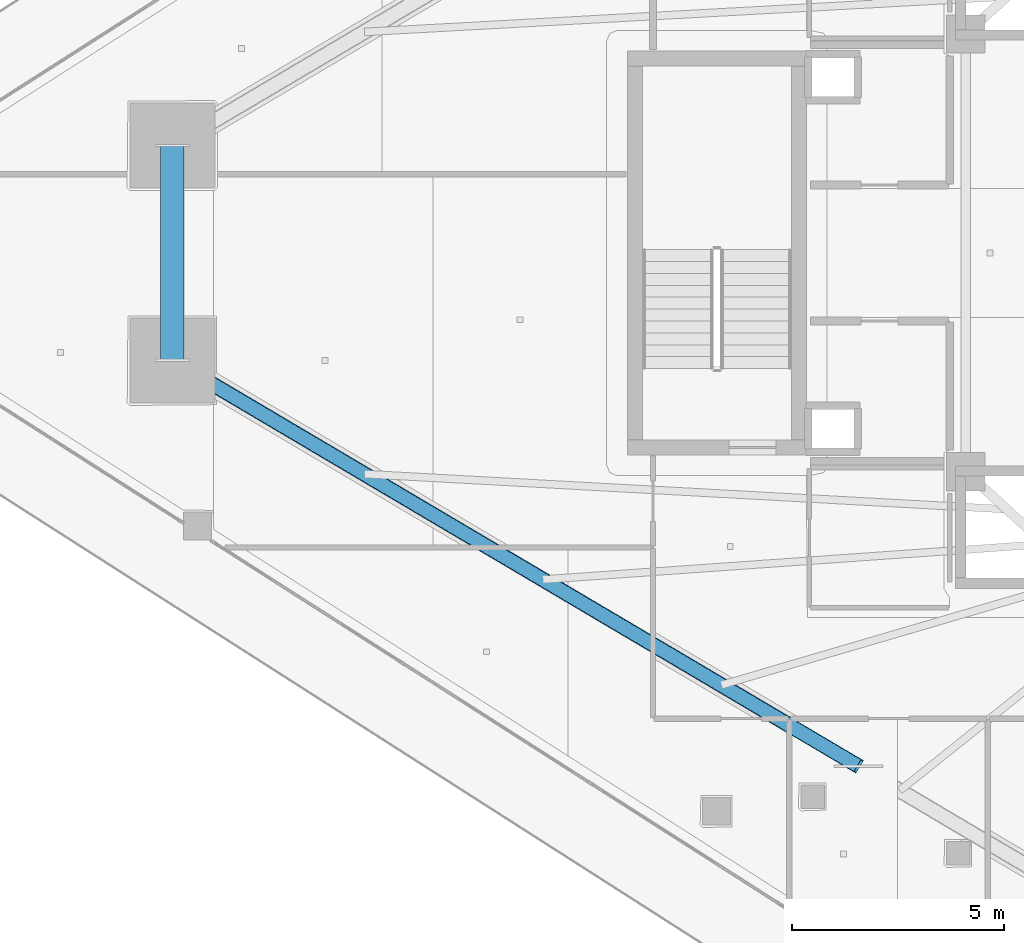
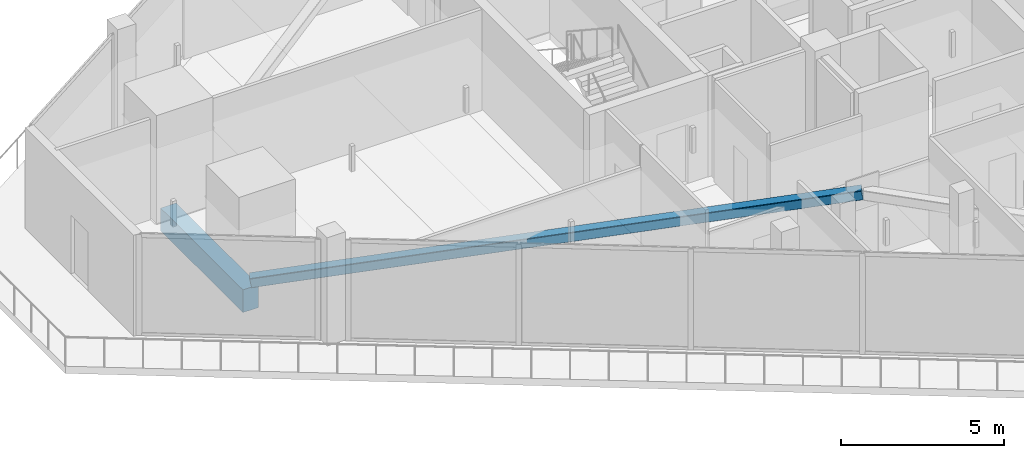
# One storey, part 7 of 43: 1 beam, 1 member.
"""IFC4 building model written with IfcOpenShell, lengths in metres."""

from ifc_helpers import new_model, si_unit, direction, frame, origin, origin_2d, place, context, subcontext, project, spatial, rectangle, hollow_rectangle, extrude, material, material_profile, profile_set, type_object, element, save


model = new_model("IFC4")

# Units and contexts
model_context = context("Model", 3, precision=1e-05, world=origin(), true_north=direction((0.0, 1.0)))
body_context = subcontext(model_context, "Body", "Model", "MODEL_VIEW")
ifc_project = project(units=[si_unit("LENGTHUNIT", "METRE"), si_unit("AREAUNIT", "SQUARE_METRE"), si_unit("VOLUMEUNIT", "CUBIC_METRE"), si_unit("PLANEANGLEUNIT", "RADIAN"), si_unit("MASSUNIT", "GRAM", prefix="KILO")], contexts=[model_context])

# Site, building, storey
site_placement = place(None, origin())
site = spatial("IfcSite", under=ifc_project, at=site_placement, CompositionType="ELEMENT")
building_placement = place(site_placement, origin())
building = spatial("IfcBuilding", under=site, at=building_placement, Name="Qorvath Tower", CompositionType="ELEMENT")
storey_placement = place(building_placement, frame((0.0, 0.0, 213.14990234375)))
storey = spatial("IfcBuildingStorey", under=building, at=storey_placement, Name="L49", CompositionType="ELEMENT", Elevation=213.14990234375)

# Beam
ifc_material_1 = material(Name="Concrete C50/60", Category="concrete")
ifc_material_profile_1 = material_profile(ifc_material_1, rectangle(XDim=0.550048828125, YDim=0.85009765625, at=origin_2d()), Name="RCB 850x550")
ifc_profile_set_1 = profile_set([ifc_material_profile_1], Name="Concrete C50/60")
beam_type = type_object("IfcBeamType", Name="BM-RCB2", PredefinedType="SPANDREL", material=ifc_profile_set_1)
beam_placement = place(storey_placement, frame((-49.171875, 2.52783203125, -0.695068359375), z_axis=(0.0, -1.0, 0.0), x_axis=(1.0, 0.0, 0.0)))
element("IfcBeam", 1, at=beam_placement, inside=storey, type_object=beam_type, Name="Perimeter Loggia Frame Beam MC1-MC2 L49", PredefinedType="SPANDREL", context=body_context, shape_type="SweptSolid", body=[
    extrude(rectangle(XDim=0.550048828125, YDim=0.85009765625, at=origin_2d()), origin(), (0.0, 0.0, 1.0), 5.0556640625),
])

# Member
ifc_material_2 = material(Name="Steel ASTM A500 Grade C", Category="steel")
ifc_material_profile_2 = material_profile(ifc_material_2, hollow_rectangle(XDim=0.355712890625, YDim=0.355712890625, WallThickness=0.015869140625, InnerFilletRadius=0.015869140625, OuterFilletRadius=0.03173828125, at=origin_2d()), Name="HSS 356x356x16")
ifc_profile_set_2 = profile_set([ifc_material_profile_2], Name="Steel ASTM A500 Grade C")
member_type = type_object("IfcMemberType", Name="MEM-MB2", PredefinedType="BRACE", material=ifc_profile_set_2)
member_placement = place(storey_placement, frame((-49.171875, -2.52783203125, 0.0), z_axis=(0.846746895049, -0.500680334384, 0.179830193475), x_axis=(0.508977860581, 0.860779610259, 0.0)))
element("IfcMember", 2, at=member_placement, inside=storey, type_object=member_type, Name="Perimeter Chevron Brace L49-2A", PredefinedType="BRACE", context=body_context, shape_type="SweptSolid", body=[
    extrude(hollow_rectangle(XDim=0.355712890625, YDim=0.355712890625, WallThickness=0.015869140625, InnerFilletRadius=0.015869140625, OuterFilletRadius=0.03173828125, at=origin_2d()), origin(), (0.0, 0.0, 1.0), 19.0732421875),
])

save(model, "model.ifc")
